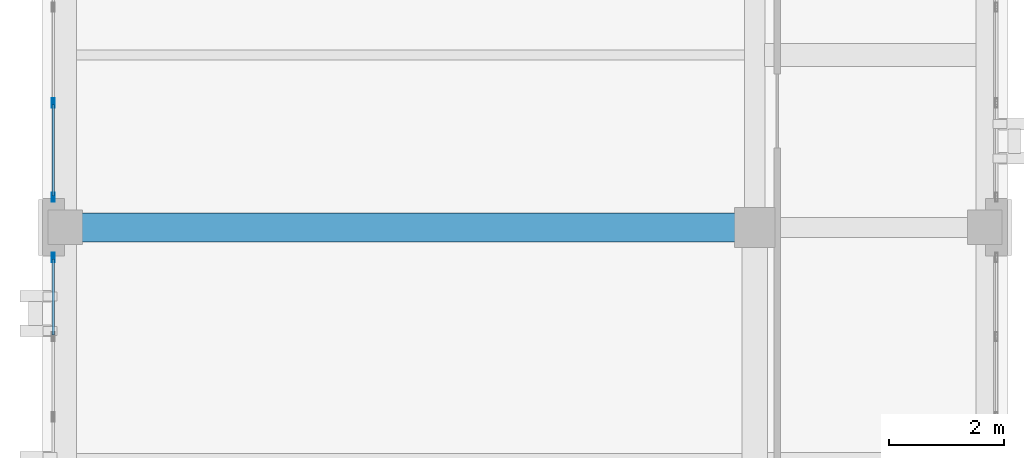
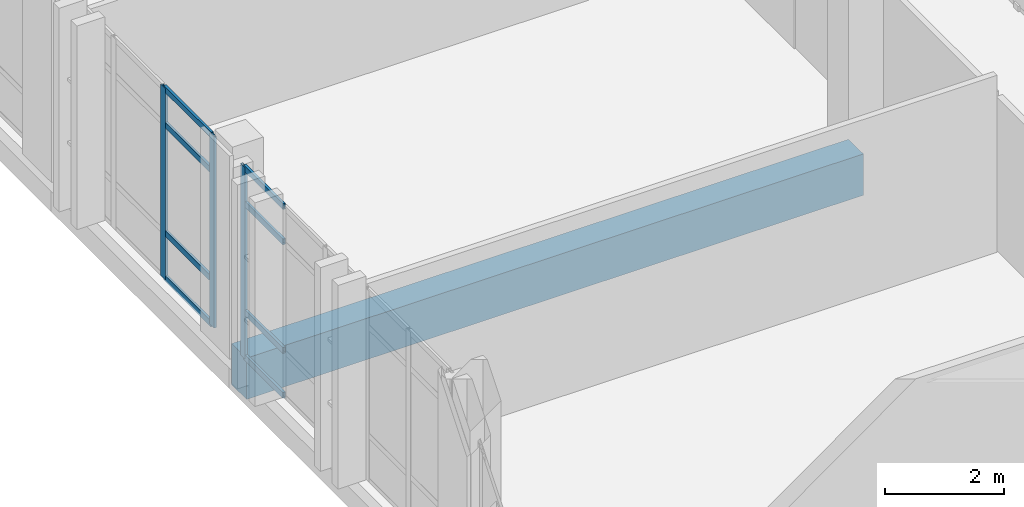
# One storey, part 28 of 90: 11 members, 1 beam, 2 elements without a shape of their own.
"""IFC4 building model written with IfcOpenShell, lengths in metres."""

from ifc_helpers import new_model, si_unit, direction, frame, origin, origin_2d, place, context, subcontext, project, spatial, rectangle, hollow_rectangle, extrude, material, layer, layer_set, material_profile, profile_set, type_object, element, aggregate, save


model = new_model("IFC4")

# Units and contexts
model_context = context("Model", 3, precision=1e-05, world=origin(), true_north=direction((0.0, 1.0)))
body_context = subcontext(model_context, "Body", "Model", "MODEL_VIEW")
ifc_project = project(units=[si_unit("LENGTHUNIT", "METRE"), si_unit("AREAUNIT", "SQUARE_METRE"), si_unit("VOLUMEUNIT", "CUBIC_METRE"), si_unit("PLANEANGLEUNIT", "RADIAN"), si_unit("MASSUNIT", "GRAM", prefix="KILO")], contexts=[model_context])

# Site, building, storey
site_placement = place(None, origin())
site = spatial("IfcSite", under=ifc_project, at=site_placement, CompositionType="ELEMENT")
building_placement = place(site_placement, origin())
building = spatial("IfcBuilding", under=site, at=building_placement, Name="Qalavern Law Courts", CompositionType="ELEMENT")
storey_placement = place(building_placement, frame((0.0, 0.0, 22.800048828125)))
storey = spatial("IfcBuildingStorey", under=building, at=storey_placement, Name="L05", CompositionType="ELEMENT", Elevation=22.800048828125)

# Curtain wall, members
ifc_material_1 = material(Name="Anodised aluminium and insulated glazing", Category="aluminium")
ifc_layer = layer(ifc_material_1, 0.159912109375)
ifc_layer_set = layer_set([ifc_layer], Name="Anodised aluminium and insulated glazing")
curtain_wall_type = type_object("IfcCurtainWallType", Name="ENV-CW-CHAMB", PredefinedType="USERDEFINED", material=ifc_layer_set)
curtain_wall_1_placement = place(storey_placement, origin())
curtain_wall_1 = element("IfcCurtainWall", 1, at=curtain_wall_1_placement, inside=storey, type_object=curtain_wall_type, Name="V3 unitised curtain wall L05 west 3", ObjectType="UNITISED CURTAIN WALL", PredefinedType="USERDEFINED")
ifc_material_2 = material(Name="Anodised aluminium", Category="aluminium")
ifc_material_profile_1 = material_profile(ifc_material_2, hollow_rectangle(XDim=0.048095703125, YDim=0.159912109375, WallThickness=0.00390625, at=origin_2d()), Name="ALU MULLION 48x160")
ifc_profile_set_1 = profile_set([ifc_material_profile_1], Name="Anodised aluminium")
member_type_1 = type_object("IfcMemberType", Name="ENV-CWM-48x160", PredefinedType="MULLION", material=ifc_profile_set_1)
member_1_placement = place(storey_placement, frame((2.1923828125, 75.566650390625, 0.0), z_axis=(0.0, 0.0, 1.0), x_axis=(1.0, 0.0, 0.0)))
member_1 = element("IfcMember", 2, at=member_1_placement, type_object=member_type_1, Name="CW-04 mullion 3", PredefinedType="MULLION", context=body_context, shape_type="SweptSolid", body=[
    extrude(hollow_rectangle(XDim=0.048095703125, YDim=0.159912109375, WallThickness=0.00390625, at=origin_2d()), origin(), (0.0, 0.0, 1.0), 3.929931640625),
])
member_2_placement = place(storey_placement, frame((2.1923828125, 73.924072265625, 0.0), z_axis=(0.0, 0.0, 1.0), x_axis=(1.0, 0.0, 0.0)))
member_2 = element("IfcMember", 3, at=member_2_placement, type_object=member_type_1, Name="CW-04 mullion 4", PredefinedType="MULLION", context=body_context, shape_type="SweptSolid", body=[
    extrude(hollow_rectangle(XDim=0.048095703125, YDim=0.159912109375, WallThickness=0.00390625, at=origin_2d()), origin(), (0.0, 0.0, 1.0), 3.929931640625),
])

# Curtain wall, member
curtain_wall_2_placement = place(storey_placement, origin())
curtain_wall_2 = element("IfcCurtainWall", 4, at=curtain_wall_2_placement, inside=storey, type_object=curtain_wall_type, Name="V3 unitised curtain wall L05 west 4", ObjectType="UNITISED CURTAIN WALL", PredefinedType="USERDEFINED")
member_3_placement = place(storey_placement, frame((2.1923828125, 72.8759765625, 0.0), z_axis=(0.0, 0.0, 1.0), x_axis=(1.0, 0.0, 0.0)))
member_3 = element("IfcMember", 5, at=member_3_placement, type_object=member_type_1, Name="CW-04 mullion 1", PredefinedType="MULLION", context=body_context, shape_type="SweptSolid", body=[
    extrude(hollow_rectangle(XDim=0.048095703125, YDim=0.159912109375, WallThickness=0.00390625, at=origin_2d()), origin(), (0.0, 0.0, 1.0), 3.929931640625),
])

# Member
ifc_material_profile_2 = material_profile(ifc_material_2, hollow_rectangle(XDim=0.048095703125, YDim=0.1201171875, WallThickness=0.00390625, at=origin_2d()), Name="ALU TRANSOM 48x120")
ifc_profile_set_2 = profile_set([ifc_material_profile_2], Name="Anodised aluminium")
member_type_2 = type_object("IfcMemberType", Name="ENV-CWT-48x120", PredefinedType="USERDEFINED", material=ifc_profile_set_2)
member_4_placement = place(storey_placement, frame((2.1923828125, 75.542724609375, 0.02392578125), z_axis=(0.0, -1.0, 0.0), x_axis=(1.0, 0.0, 0.0)))
member_4 = element("IfcMember", 6, at=member_4_placement, type_object=member_type_2, Name="CW-04 transom 3.1", ObjectType="TRANSOM", PredefinedType="USERDEFINED", context=body_context, shape_type="SweptSolid", body=[
    extrude(hollow_rectangle(XDim=0.048095703125, YDim=0.1201171875, WallThickness=0.00390625, at=origin_2d()), origin(), (0.0, 0.0, 1.0), 1.5947265625),
])

member_5_placement = place(storey_placement, frame((2.1923828125, 75.542724609375, 0.949951171875), z_axis=(0.0, -1.0, 0.0), x_axis=(1.0, 0.0, 0.0)))
member_5 = element("IfcMember", 7, at=member_5_placement, type_object=member_type_2, Name="CW-04 transom 3.2", ObjectType="TRANSOM", PredefinedType="USERDEFINED", context=body_context, shape_type="SweptSolid", body=[
    extrude(hollow_rectangle(XDim=0.048095703125, YDim=0.1201171875, WallThickness=0.00390625, at=origin_2d()), origin(), (0.0, 0.0, 1.0), 1.5947265625),
])

member_6_placement = place(storey_placement, frame((2.1923828125, 75.542724609375, 3.179931640625), z_axis=(0.0, -1.0, 0.0), x_axis=(1.0, 0.0, 0.0)))
member_6 = element("IfcMember", 8, at=member_6_placement, type_object=member_type_2, Name="CW-04 transom 3.3", ObjectType="TRANSOM", PredefinedType="USERDEFINED", context=body_context, shape_type="SweptSolid", body=[
    extrude(hollow_rectangle(XDim=0.048095703125, YDim=0.1201171875, WallThickness=0.00390625, at=origin_2d()), origin(), (0.0, 0.0, 1.0), 1.5947265625),
])

member_7_placement = place(storey_placement, frame((2.1923828125, 75.542724609375, 3.906005859375), z_axis=(0.0, -1.0, 0.0), x_axis=(1.0, 0.0, 0.0)))
member_7 = element("IfcMember", 9, at=member_7_placement, type_object=member_type_2, Name="CW-04 transom 3.4", ObjectType="TRANSOM", PredefinedType="USERDEFINED", context=body_context, shape_type="SweptSolid", body=[
    extrude(hollow_rectangle(XDim=0.048095703125, YDim=0.1201171875, WallThickness=0.00390625, at=origin_2d()), origin(), (0.0, 0.0, 1.0), 1.5947265625),
])

aggregate(curtain_wall_1, [member_1, member_2, member_4, member_5, member_6, member_7])

member_8_placement = place(storey_placement, frame((2.1923828125, 72.85205078125, 0.02392578125), z_axis=(0.0, -1.0, 0.0), x_axis=(1.0, 0.0, 0.0)))
member_8 = element("IfcMember", 10, at=member_8_placement, type_object=member_type_2, Name="CW-04 transom 1.1", ObjectType="TRANSOM", PredefinedType="USERDEFINED", context=body_context, shape_type="SweptSolid", body=[
    extrude(hollow_rectangle(XDim=0.048095703125, YDim=0.1201171875, WallThickness=0.00390625, at=origin_2d()), origin(), (0.0, 0.0, 1.0), 1.328125),
])

member_9_placement = place(storey_placement, frame((2.1923828125, 72.85205078125, 0.949951171875), z_axis=(0.0, -1.0, 0.0), x_axis=(1.0, 0.0, 0.0)))
member_9 = element("IfcMember", 11, at=member_9_placement, type_object=member_type_2, Name="CW-04 transom 1.2", ObjectType="TRANSOM", PredefinedType="USERDEFINED", context=body_context, shape_type="SweptSolid", body=[
    extrude(hollow_rectangle(XDim=0.048095703125, YDim=0.1201171875, WallThickness=0.00390625, at=origin_2d()), origin(), (0.0, 0.0, 1.0), 1.328125),
])

member_10_placement = place(storey_placement, frame((2.1923828125, 72.85205078125, 3.179931640625), z_axis=(0.0, -1.0, 0.0), x_axis=(1.0, 0.0, 0.0)))
member_10 = element("IfcMember", 12, at=member_10_placement, type_object=member_type_2, Name="CW-04 transom 1.3", ObjectType="TRANSOM", PredefinedType="USERDEFINED", context=body_context, shape_type="SweptSolid", body=[
    extrude(hollow_rectangle(XDim=0.048095703125, YDim=0.1201171875, WallThickness=0.00390625, at=origin_2d()), origin(), (0.0, 0.0, 1.0), 1.328125),
])

member_11_placement = place(storey_placement, frame((2.1923828125, 72.85205078125, 3.906005859375), z_axis=(0.0, -1.0, 0.0), x_axis=(1.0, 0.0, 0.0)))
member_11 = element("IfcMember", 13, at=member_11_placement, type_object=member_type_2, Name="CW-04 transom 1.4", ObjectType="TRANSOM", PredefinedType="USERDEFINED", context=body_context, shape_type="SweptSolid", body=[
    extrude(hollow_rectangle(XDim=0.048095703125, YDim=0.1201171875, WallThickness=0.00390625, at=origin_2d()), origin(), (0.0, 0.0, 1.0), 1.328125),
])

aggregate(curtain_wall_2, [member_3, member_8, member_9, member_10, member_11])

# Beam
ifc_material_3 = material(Name="Concrete C40/50", Category="concrete")
ifc_material_profile_3 = material_profile(ifc_material_3, rectangle(XDim=0.5, YDim=0.85009765625, at=origin_2d()), Name="RC 500x850")
ifc_profile_set_3 = profile_set([ifc_material_profile_3], Name="Concrete C40/50")
beam_type = type_object("IfcBeamType", Name="STR-BM-RC500x850", PredefinedType="BEAM", material=ifc_profile_set_3)
beam_placement = place(storey_placement, frame((2.39990234375, 73.39990234375, -0.699951171875), z_axis=(1.0, 0.0, 0.0), x_axis=(0.0, 1.0, 0.0)))
element("IfcBeam", 14, at=beam_placement, inside=storey, type_object=beam_type, Name="V3 X-beam 5-1 L05", PredefinedType="BEAM", context=body_context, shape_type="SweptSolid", body=[
    extrude(rectangle(XDim=0.5, YDim=0.85009765625, at=origin_2d()), origin(), (0.0, 0.0, 1.0), 12.0),
])

save(model, "model.ifc")
